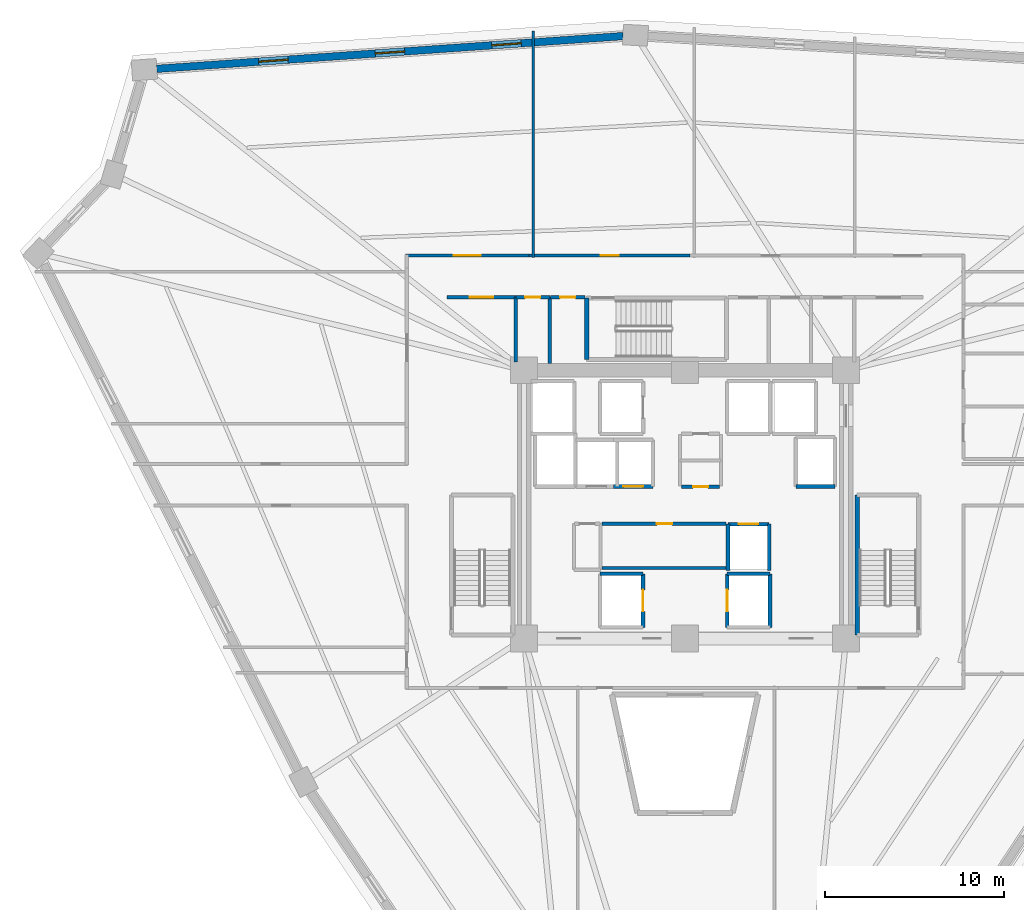
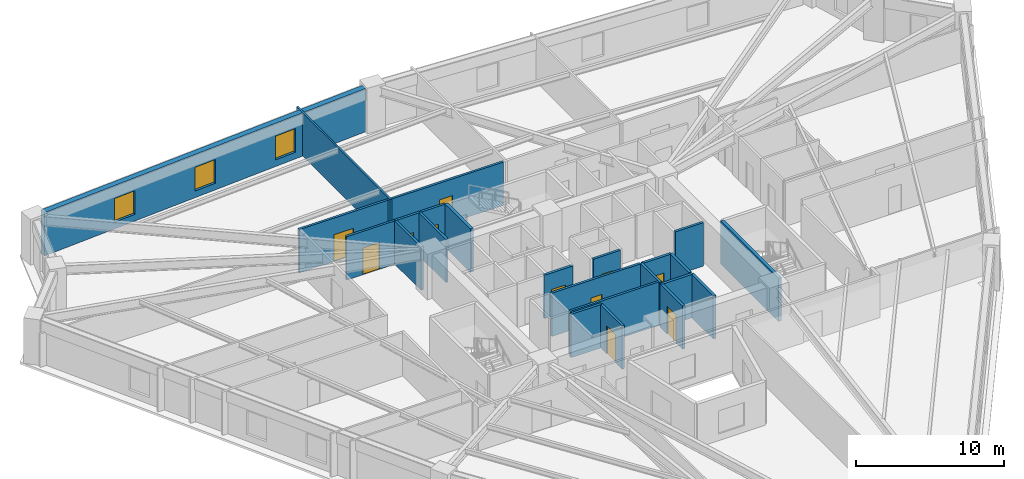
# One storey, part 5 of 10: 24 walls, 11 doors, 3 windows, 14 openings.
"""IFC4 building model written with IfcOpenShell, lengths in metres."""

from ifc_helpers import new_model, si_unit, direction, frame, frame_2d, origin, place, context, subcontext, project, spatial, rectangle, extrude, source, transform, mapped, material, layer, layer_set, type_object, element, fill, save


model = new_model("IFC4")

# Units and contexts
model_context = context("Model", 3, precision=1e-05, world=origin(), true_north=direction((0.0, 1.0)))
body_context = subcontext(model_context, "Body", "Model", "MODEL_VIEW")
ifc_project = project(units=[si_unit("LENGTHUNIT", "METRE"), si_unit("AREAUNIT", "SQUARE_METRE"), si_unit("VOLUMEUNIT", "CUBIC_METRE"), si_unit("PLANEANGLEUNIT", "RADIAN"), si_unit("MASSUNIT", "GRAM", prefix="KILO")], contexts=[model_context])

# Site, building, storey
site_placement = place(None, origin())
site = spatial("IfcSite", under=ifc_project, at=site_placement, CompositionType="ELEMENT")
building_placement = place(site_placement, origin())
building = spatial("IfcBuilding", under=site, at=building_placement, Name="Liaohun Quay Tower", CompositionType="ELEMENT")
storey_placement = place(building_placement, frame((0.0, 0.0, 124.5)))
storey = spatial("IfcBuildingStorey", under=building, at=storey_placement, Name="L32", CompositionType="ELEMENT", Elevation=124.5)

# Wall, openings, windows
ifc_material_1 = material(Name="Precast concrete C50 insulated sandwich", Category="concrete")
ifc_layer_1 = layer(ifc_material_1, 0.419921875, Name="Precast concrete C50 insulated sandwich", Category="concrete")
ifc_layer_set_1 = layer_set([ifc_layer_1], Name="Precast concrete C50 insulated sandwich")
wall_type_1 = type_object("IfcWallType", Name="WAL-EXT-Z12", PredefinedType="SOLIDWALL", material=ifc_layer_set_1)
wall_1_placement = place(storey_placement, frame((56.5380859375, 80.177978515625, 0.0), z_axis=(0.0, 0.0, 1.0), x_axis=(-0.997543510354, -0.070049589226, 0.0)))
wall_1 = element("IfcWall", 1, at=wall_1_placement, inside=storey, type_object=wall_type_1, Name="L32 Brutalist Precast Pier Wall 07", PredefinedType="SOLIDWALL", context=body_context, shape_type="SweptSolid", body=[
    extrude(rectangle(XDim=26.139404296875, YDim=0.419921875, at=frame_2d((13.06982421875, 0.0))), origin(), (0.0, 0.0, 1.0), 3.570068359375),
])
shared_shape_1 = source(origin(), body_context, "Body", "SweptSolid", [
    extrude(rectangle(XDim=1.64990234375, YDim=1.949951171875, at=frame_2d((0.824951171875, 0.97509765625))), frame((0.0, 0.219970703125, 0.0), z_axis=(0.0, -1.0, 0.0), x_axis=(1.0, 0.0, 0.0)), (0.0, 0.0, 1.0), 0.43994140625),
])
opening_1_placement = place(wall_1_placement, frame((5.7099609375, 0.0, 0.550048828125)))
opening_1 = element("IfcOpeningElement", 2, at=opening_1_placement, cuts=wall_1, Name="Opening W02", PredefinedType="OPENING", context=body_context, shape_type="MappedRepresentation", body=[
    mapped(shared_shape_1, transform((0.0, 0.0, 0.0), x_axis=(1.0, 0.0, 0.0), y_axis=(0.0, 1.0, 0.0), z_axis=(0.0, 0.0, 1.0), scale=1.0)),
])
opening_2_placement = place(wall_1_placement, frame((12.2451171875, 0.0, 0.550048828125)))
opening_2 = element("IfcOpeningElement", 3, at=opening_2_placement, cuts=wall_1, Name="Opening W02", PredefinedType="OPENING", context=body_context, shape_type="MappedRepresentation", body=[
    mapped(shared_shape_1, transform((0.0, 0.0, 0.0), x_axis=(1.0, 0.0, 0.0), y_axis=(0.0, 1.0, 0.0), z_axis=(0.0, 0.0, 1.0), scale=1.0)),
])
opening_3_placement = place(wall_1_placement, frame((18.779052734375, 0.0, 0.550048828125)))
opening_3 = element("IfcOpeningElement", 4, at=opening_3_placement, cuts=wall_1, Name="Opening W02", PredefinedType="OPENING", context=body_context, shape_type="MappedRepresentation", body=[
    mapped(shared_shape_1, transform((0.0, 0.0, 0.0), x_axis=(1.0, 0.0, 0.0), y_axis=(0.0, 1.0, 0.0), z_axis=(0.0, 0.0, 1.0), scale=1.0)),
])
ifc_material_2 = material(Name="Triple Low-E argon glazing in thermally broken aluminium", Category="aluminium")
window_type = type_object("IfcWindowType", Name="WIN-PUN-Z2", PartitioningType="DOUBLE_PANEL_VERTICAL", PredefinedType="WINDOW", material=ifc_material_2)
shared_shape_2 = source(origin(), body_context, "Body", "SweptSolid", [
    extrude(rectangle(XDim=1.64990234375, YDim=1.949951171875, at=frame_2d((0.824951171875, 0.97509765625))), frame((0.0, 0.030029296875, 0.0), z_axis=(0.0, -1.0, 0.0), x_axis=(1.0, 0.0, 0.0)), (0.0, 0.0, 1.0), 0.06005859375),
])
window_1_placement = place(opening_1_placement, origin())
window_1 = element("IfcWindow", 5, at=window_1_placement, inside=storey, type_object=window_type, Name="L32 Recessed Cold-Climate Punched Window 07-1", OverallHeight=1.949951171875, OverallWidth=1.64990234375, PartitioningType="DOUBLE_PANEL_VERTICAL", PredefinedType="WINDOW", context=body_context, shape_type="MappedRepresentation", body=[
    mapped(shared_shape_2, transform((0.0, 0.0, 0.0), x_axis=(1.0, 0.0, 0.0), y_axis=(0.0, 1.0, 0.0), z_axis=(0.0, 0.0, 1.0), scale=1.0)),
])
fill(opening_1, window_1)
window_2_placement = place(opening_2_placement, origin())
window_2 = element("IfcWindow", 6, at=window_2_placement, inside=storey, type_object=window_type, Name="L32 Recessed Cold-Climate Punched Window 07-2", OverallHeight=1.949951171875, OverallWidth=1.64990234375, PartitioningType="DOUBLE_PANEL_VERTICAL", PredefinedType="WINDOW", context=body_context, shape_type="MappedRepresentation", body=[
    mapped(shared_shape_2, transform((0.0, 0.0, 0.0), x_axis=(1.0, 0.0, 0.0), y_axis=(0.0, 1.0, 0.0), z_axis=(0.0, 0.0, 1.0), scale=1.0)),
])
fill(opening_2, window_2)
window_3_placement = place(opening_3_placement, origin())
window_3 = element("IfcWindow", 7, at=window_3_placement, inside=storey, type_object=window_type, Name="L32 Recessed Cold-Climate Punched Window 07-3", OverallHeight=1.949951171875, OverallWidth=1.64990234375, PartitioningType="DOUBLE_PANEL_VERTICAL", PredefinedType="WINDOW", context=body_context, shape_type="MappedRepresentation", body=[
    mapped(shared_shape_2, transform((0.0, 0.0, 0.0), x_axis=(1.0, 0.0, 0.0), y_axis=(0.0, 1.0, 0.0), z_axis=(0.0, 0.0, 1.0), scale=1.0)),
])
fill(opening_3, window_3)

# Wall, opening, door
ifc_material_3 = material(Name="Autoclaved aerated concrete blockwork", Category="masonry")
ifc_layer_2 = layer(ifc_material_3, 0.179931640625, Name="Autoclaved aerated concrete blockwork", Category="masonry")
ifc_layer_set_2 = layer_set([ifc_layer_2], Name="Autoclaved aerated concrete blockwork")
wall_type_2 = type_object("IfcWallType", Name="WAL-PRT-COR", PredefinedType="PARTITIONING", material=ifc_layer_set_2)
wall_2_placement = place(storey_placement, frame((55.3701171875, 52.919921875, 0.0), z_axis=(0.0, 0.0, 1.0), x_axis=(1.0, 0.0, 0.0)))
wall_2 = element("IfcWall", 8, at=wall_2_placement, inside=storey, type_object=wall_type_2, Name="L32 Interior Partition Wall 001", PredefinedType="PARTITIONING", context=body_context, shape_type="SweptSolid", body=[
    extrude(rectangle(XDim=6.929931640625, YDim=0.179931640625, at=frame_2d((3.46484375, 0.0))), origin(), (0.0, 0.0, 1.0), 3.570068359375),
])
shared_shape_3 = source(origin(), body_context, "Body", "SweptSolid", [
    extrude(rectangle(XDim=0.85009765625, YDim=2.10009765625, at=frame_2d((0.425048828125, 1.050048828125))), frame((0.0, 0.099853515625, 0.0), z_axis=(0.0, -1.0, 0.0), x_axis=(1.0, 0.0, 0.0)), (0.0, 0.0, 1.0), 0.199951171875),
])
opening_4_placement = place(wall_2_placement, frame((3.054931640625, 0.0, 0.0)))
opening_4 = element("IfcOpeningElement", 9, at=opening_4_placement, cuts=wall_2, Name="Opening AD1", PredefinedType="OPENING", context=body_context, shape_type="MappedRepresentation", body=[
    mapped(shared_shape_3, transform((0.0, 0.0, 0.0), x_axis=(1.0, 0.0, 0.0), y_axis=(0.0, 1.0, 0.0), z_axis=(0.0, 0.0, 1.0), scale=1.0)),
])
ifc_material_4 = material(Name="Steel riser inspection fire door", Category="steel")
door_type_1 = type_object("IfcDoorType", Name="DOR-SHF-850", OperationType="NOTDEFINED", PredefinedType="DOOR", material=ifc_material_4)
shared_shape_4 = source(origin(), body_context, "Body", "SweptSolid", [
    extrude(rectangle(XDim=0.85009765625, YDim=2.10009765625, at=frame_2d((0.425048828125, 1.050048828125))), frame((0.0, 0.02490234375, 0.0), z_axis=(0.0, -1.0, 0.0), x_axis=(1.0, 0.0, 0.0)), (0.0, 0.0, 1.0), 0.050048828125),
])
door_1_placement = place(opening_4_placement, origin())
door_1 = element("IfcDoor", 10, at=door_1_placement, inside=storey, type_object=door_type_1, Name="L32 Core Tenant Storage and Archive Room Door", OperationType="SINGLE_SWING_RIGHT", OverallHeight=2.10009765625, OverallWidth=0.85009765625, PredefinedType="DOOR", context=body_context, shape_type="MappedRepresentation", body=[
    mapped(shared_shape_4, transform((0.0, 0.0, 0.0), x_axis=(1.0, 0.0, 0.0), y_axis=(0.0, 1.0, 0.0), z_axis=(0.0, 0.0, 1.0), scale=1.0)),
])
fill(opening_4, door_1)

wall_3_placement = place(storey_placement, frame((59.81005859375, 54.97998046875, 0.0), z_axis=(0.0, 0.0, 1.0), x_axis=(1.0, 0.0, 0.0)))
wall_3 = element("IfcWall", 11, at=wall_3_placement, inside=storey, type_object=wall_type_2, Name="L32 Interior Partition Wall 002", PredefinedType="PARTITIONING", context=body_context, shape_type="SweptSolid", body=[
    extrude(rectangle(XDim=2.10986328125, YDim=0.179931640625, at=frame_2d((1.054931640625, 0.0))), origin(), (0.0, 0.0, 1.0), 3.570068359375),
])
opening_5_placement = place(wall_3_placement, frame((0.635009765625, 0.0, 0.0)))
opening_5 = element("IfcOpeningElement", 12, at=opening_5_placement, cuts=wall_3, Name="Opening AD1", PredefinedType="OPENING", context=body_context, shape_type="MappedRepresentation", body=[
    mapped(shared_shape_3, transform((0.0, 0.0, 0.0), x_axis=(1.0, 0.0, 0.0), y_axis=(0.0, 1.0, 0.0), z_axis=(0.0, 0.0, 1.0), scale=1.0)),
])
door_2_placement = place(opening_5_placement, origin())
door_2 = element("IfcDoor", 13, at=door_2_placement, inside=storey, type_object=door_type_1, Name="L32 Electrical Riser Room Door", OperationType="SINGLE_SWING_LEFT", OverallHeight=2.10009765625, OverallWidth=0.85009765625, PredefinedType="DOOR", context=body_context, shape_type="MappedRepresentation", body=[
    mapped(shared_shape_4, transform((0.0, 0.0, 0.0), x_axis=(1.0, 0.0, 0.0), y_axis=(0.0, 1.0, 0.0), z_axis=(0.0, 0.0, 1.0), scale=1.0)),
])
fill(opening_5, door_2)

wall_4_placement = place(storey_placement, frame((50.5400390625, 65.580078125, 0.0), z_axis=(0.0, 0.0, 1.0), x_axis=(1.0, 0.0, 0.0)))
wall_4 = element("IfcWall", 14, at=wall_4_placement, inside=storey, type_object=wall_type_2, Name="L32 Interior Partition Wall 008", PredefinedType="PARTITIONING", context=body_context, shape_type="SweptSolid", body=[
    extrude(rectangle(XDim=1.89990234375, YDim=0.179931640625, at=frame_2d((0.949951171875, 0.0))), origin(), (0.0, 0.0, 1.0), 3.570068359375),
])
opening_6_placement = place(wall_4_placement, frame((0.52490234375, 0.0, 0.0)))
opening_6 = element("IfcOpeningElement", 15, at=opening_6_placement, cuts=wall_4, Name="Opening AD1", PredefinedType="OPENING", context=body_context, shape_type="MappedRepresentation", body=[
    mapped(shared_shape_3, transform((0.0, 0.0, 0.0), x_axis=(1.0, 0.0, 0.0), y_axis=(0.0, 1.0, 0.0), z_axis=(0.0, 0.0, 1.0), scale=1.0)),
])
door_3_placement = place(opening_6_placement, origin())
door_3 = element("IfcDoor", 16, at=door_3_placement, inside=storey, type_object=door_type_1, Name="L32 North-West Riser Closet Door", OperationType="SINGLE_SWING_LEFT", OverallHeight=2.10009765625, OverallWidth=0.85009765625, PredefinedType="DOOR", context=body_context, shape_type="MappedRepresentation", body=[
    mapped(shared_shape_4, transform((0.0, 0.0, 0.0), x_axis=(1.0, 0.0, 0.0), y_axis=(0.0, 1.0, 0.0), z_axis=(0.0, 0.0, 1.0), scale=1.0)),
])
fill(opening_6, door_3)

wall_5_placement = place(storey_placement, frame((52.47998046875, 65.580078125, 0.0), z_axis=(0.0, 0.0, 1.0), x_axis=(1.0, 0.0, 0.0)))
wall_5 = element("IfcWall", 17, at=wall_5_placement, inside=storey, type_object=wall_type_2, Name="L32 Interior Partition Wall 009", PredefinedType="PARTITIONING", context=body_context, shape_type="SweptSolid", body=[
    extrude(rectangle(XDim=1.929931640625, YDim=0.179931640625, at=frame_2d((0.96484375, 0.0))), origin(), (0.0, 0.0, 1.0), 3.570068359375),
])
opening_7_placement = place(wall_5_placement, frame((0.5400390625, 0.0, 0.0)))
opening_7 = element("IfcOpeningElement", 18, at=opening_7_placement, cuts=wall_5, Name="Opening AD1", PredefinedType="OPENING", context=body_context, shape_type="MappedRepresentation", body=[
    mapped(shared_shape_3, transform((0.0, 0.0, 0.0), x_axis=(1.0, 0.0, 0.0), y_axis=(0.0, 1.0, 0.0), z_axis=(0.0, 0.0, 1.0), scale=1.0)),
])
door_4_placement = place(opening_7_placement, origin())
door_4 = element("IfcDoor", 19, at=door_4_placement, inside=storey, type_object=door_type_1, Name="L32 North-West Print Closet Door", OperationType="SINGLE_SWING_RIGHT", OverallHeight=2.10009765625, OverallWidth=0.85009765625, PredefinedType="DOOR", context=body_context, shape_type="MappedRepresentation", body=[
    mapped(shared_shape_4, transform((0.0, 0.0, 0.0), x_axis=(1.0, 0.0, 0.0), y_axis=(0.0, 1.0, 0.0), z_axis=(0.0, 0.0, 1.0), scale=1.0)),
])
fill(opening_7, door_4)

wall_6_placement = place(storey_placement, frame((46.699951171875, 65.580078125, 0.0), z_axis=(0.0, 0.0, 1.0), x_axis=(1.0, 0.0, 0.0)))
wall_6 = element("IfcWall", 20, at=wall_6_placement, inside=storey, type_object=wall_type_2, Name="L32 Interior Partition Wall 013", PredefinedType="PARTITIONING", context=body_context, shape_type="SweptSolid", body=[
    extrude(rectangle(XDim=3.840087890625, YDim=0.179931640625, at=frame_2d((1.919921875, 0.0))), origin(), (0.0, 0.0, 1.0), 3.570068359375),
])
shared_shape_5 = source(origin(), body_context, "Body", "SweptSolid", [
    extrude(rectangle(XDim=1.300048828125, YDim=2.199951171875, at=frame_2d((0.64990234375, 1.10009765625))), frame((0.0, 0.099853515625, 0.0), z_axis=(0.0, -1.0, 0.0), x_axis=(1.0, 0.0, 0.0)), (0.0, 0.0, 1.0), 0.199951171875),
])
opening_8_placement = place(wall_6_placement, frame((1.27001953125, 0.0, 0.0)))
opening_8 = element("IfcOpeningElement", 21, at=opening_8_placement, cuts=wall_6, Name="Opening FD1", PredefinedType="OPENING", context=body_context, shape_type="MappedRepresentation", body=[
    mapped(shared_shape_5, transform((0.0, 0.0, 0.0), x_axis=(1.0, 0.0, 0.0), y_axis=(0.0, 1.0, 0.0), z_axis=(0.0, 0.0, 1.0), scale=1.0)),
])
ifc_material_5 = material(Name="Galvanised steel smokeproof fire door", Category="steel")
door_type_2 = type_object("IfcDoorType", Name="DOR-FFL-1300", OperationType="NOTDEFINED", PredefinedType="DOOR", material=ifc_material_5)
shared_shape_6 = source(origin(), body_context, "Body", "SweptSolid", [
    extrude(rectangle(XDim=1.300048828125, YDim=2.199951171875, at=frame_2d((0.64990234375, 1.10009765625))), frame((0.0, 0.02490234375, 0.0), z_axis=(0.0, -1.0, 0.0), x_axis=(1.0, 0.0, 0.0)), (0.0, 0.0, 1.0), 0.050048828125),
])
door_5_placement = place(opening_8_placement, origin())
door_5 = element("IfcDoor", 22, at=door_5_placement, inside=storey, type_object=door_type_2, Name="L32 West Core Vestibule Door", OperationType="SINGLE_SWING_RIGHT", OverallHeight=2.199951171875, OverallWidth=1.300048828125, PredefinedType="DOOR", context=body_context, shape_type="MappedRepresentation", body=[
    mapped(shared_shape_6, transform((0.0, 0.0, 0.0), x_axis=(1.0, 0.0, 0.0), y_axis=(0.0, 1.0, 0.0), z_axis=(0.0, 0.0, 1.0), scale=1.0)),
])
fill(opening_8, door_5)

wall_7_placement = place(storey_placement, frame((51.284912109375, 67.909912109375, 0.0), z_axis=(0.0, 0.0, 1.0), x_axis=(1.0, 0.0, 0.0)))
wall_7 = element("IfcWall", 23, at=wall_7_placement, inside=storey, type_object=wall_type_2, Name="L32 Interior Partition Wall 018", PredefinedType="PARTITIONING", context=body_context, shape_type="SweptSolid", body=[
    extrude(rectangle(XDim=9.0, YDim=0.179931640625, at=frame_2d((4.5, 0.0))), origin(), (0.0, 0.0, 1.0), 3.570068359375),
])
shared_shape_7 = source(origin(), body_context, "Body", "SweptSolid", [
    extrude(rectangle(XDim=1.0, YDim=2.199951171875, at=frame_2d((0.5, 1.10009765625))), frame((0.0, 0.099853515625, 0.0), z_axis=(0.0, -1.0, 0.0), x_axis=(1.0, 0.0, 0.0)), (0.0, 0.0, 1.0), 0.199951171875),
])
opening_9_placement = place(wall_7_placement, frame((4.0, 0.0, 0.0)))
opening_9 = element("IfcOpeningElement", 24, at=opening_9_placement, cuts=wall_7, Name="Opening OD1", PredefinedType="OPENING", context=body_context, shape_type="MappedRepresentation", body=[
    mapped(shared_shape_7, transform((0.0, 0.0, 0.0), x_axis=(1.0, 0.0, 0.0), y_axis=(0.0, 1.0, 0.0), z_axis=(0.0, 0.0, 1.0), scale=1.0)),
])
ifc_material_6 = material(Name="Solid-core oak veneer timber leaf in steel frame", Category="steel")
door_type_3 = type_object("IfcDoorType", Name="DOR-OFF-1000", OperationType="NOTDEFINED", PredefinedType="DOOR", material=ifc_material_6)
shared_shape_8 = source(origin(), body_context, "Body", "SweptSolid", [
    extrude(rectangle(XDim=1.0, YDim=2.199951171875, at=frame_2d((0.5, 1.10009765625))), frame((0.0, 0.02490234375, 0.0), z_axis=(0.0, -1.0, 0.0), x_axis=(1.0, 0.0, 0.0)), (0.0, 0.0, 1.0), 0.050048828125),
])
door_6_placement = place(opening_9_placement, origin())
door_6 = element("IfcDoor", 25, at=door_6_placement, inside=storey, type_object=door_type_3, Name="L32 Project Collaboration Studio 04 Door", OperationType="SINGLE_SWING_LEFT", OverallHeight=2.199951171875, OverallWidth=1.0, PredefinedType="DOOR", context=body_context, shape_type="MappedRepresentation", body=[
    mapped(shared_shape_8, transform((0.0, 0.0, 0.0), x_axis=(1.0, 0.0, 0.0), y_axis=(0.0, 1.0, 0.0), z_axis=(0.0, 0.0, 1.0), scale=1.0)),
])
fill(opening_9, door_6)

wall_8_placement = place(storey_placement, frame((44.3701171875, 67.909912109375, 0.0), z_axis=(0.0, 0.0, 1.0), x_axis=(1.0, 0.0, 0.0)))
wall_8 = element("IfcWall", 26, at=wall_8_placement, inside=storey, type_object=wall_type_2, Name="L32 Interior Partition Wall 019", PredefinedType="PARTITIONING", context=body_context, shape_type="SweptSolid", body=[
    extrude(rectangle(XDim=6.914794921875, YDim=0.179931640625, at=frame_2d((3.45751953125, 0.0))), origin(), (0.0, 0.0, 1.0), 3.570068359375),
])
shared_shape_9 = source(origin(), body_context, "Body", "SweptSolid", [
    extrude(rectangle(XDim=1.5, YDim=2.199951171875, at=frame_2d((0.75, 1.10009765625))), frame((0.0, 0.099853515625, 0.0), z_axis=(0.0, -1.0, 0.0), x_axis=(1.0, 0.0, 0.0)), (0.0, 0.0, 1.0), 0.199951171875),
])
opening_10_placement = place(wall_8_placement, frame((2.70703125, 0.0, 0.0)))
opening_10 = element("IfcOpeningElement", 27, at=opening_10_placement, cuts=wall_8, Name="Opening OD2", PredefinedType="OPENING", context=body_context, shape_type="MappedRepresentation", body=[
    mapped(shared_shape_9, transform((0.0, 0.0, 0.0), x_axis=(1.0, 0.0, 0.0), y_axis=(0.0, 1.0, 0.0), z_axis=(0.0, 0.0, 1.0), scale=1.0)),
])
ifc_material_7 = material(Name="Acoustic oak veneer double door")
door_type_4 = type_object("IfcDoorType", Name="DOR-OFF-1500", OperationType="DOUBLE_DOOR_SINGLE_SWING", PredefinedType="DOOR", material=ifc_material_7)
shared_shape_10 = source(origin(), body_context, "Body", "SweptSolid", [
    extrude(rectangle(XDim=1.5, YDim=2.199951171875, at=frame_2d((0.75, 1.10009765625))), frame((0.0, 0.02490234375, 0.0), z_axis=(0.0, -1.0, 0.0), x_axis=(1.0, 0.0, 0.0)), (0.0, 0.0, 1.0), 0.050048828125),
])
door_7_placement = place(opening_10_placement, origin())
door_7 = element("IfcDoor", 28, at=door_7_placement, inside=storey, type_object=door_type_4, Name="L32 Digital Prototyping Laboratory 05 Door", OperationType="DOUBLE_DOOR_SINGLE_SWING", OverallHeight=2.199951171875, OverallWidth=1.5, PredefinedType="DOOR", context=body_context, shape_type="MappedRepresentation", body=[
    mapped(shared_shape_10, transform((0.0, 0.0, 0.0), x_axis=(1.0, 0.0, 0.0), y_axis=(0.0, 1.0, 0.0), z_axis=(0.0, 0.0, 1.0), scale=1.0)),
])
fill(opening_10, door_7)

# Walls
wall_9_placement = place(storey_placement, frame((50.5400390625, 61.949951171875, 0.0), z_axis=(0.0, 0.0, 1.0), x_axis=(0.0, 1.0, 0.0)))
element("IfcWall", 29, at=wall_9_placement, inside=storey, type_object=wall_type_2, Name="L32 Interior Partition Wall 039", PredefinedType="PARTITIONING", context=body_context, shape_type="SweptSolid", body=[
    extrude(rectangle(XDim=3.630126953125, YDim=0.179931640625, at=frame_2d((1.81494140625, 0.0))), origin(), (0.0, 0.0, 1.0), 3.570068359375),
])
wall_10_placement = place(storey_placement, frame((52.43994140625, 61.875, 0.0), z_axis=(0.0, 0.0, 1.0), x_axis=(0.0, 1.0, 0.0)))
element("IfcWall", 30, at=wall_10_placement, inside=storey, type_object=wall_type_2, Name="L32 Interior Partition Wall 040", PredefinedType="PARTITIONING", context=body_context, shape_type="SweptSolid", body=[
    extrude(rectangle(XDim=3.705078125, YDim=0.179931640625, at=frame_2d((1.8525390625, 0.0))), origin(), (0.0, 0.0, 1.0), 3.570068359375),
])
wall_11_placement = place(storey_placement, frame((55.3701171875, 50.449951171875, 0.0), z_axis=(0.0, 0.0, 1.0), x_axis=(1.0, 0.0, 0.0)))
element("IfcWall", 31, at=wall_11_placement, inside=storey, type_object=wall_type_2, Name="L32 Interior Partition Wall 063", PredefinedType="PARTITIONING", context=body_context, shape_type="SweptSolid", body=[
    extrude(rectangle(XDim=6.929931640625, YDim=0.179931640625, at=frame_2d((3.46484375, 0.0))), origin(), (0.0, 0.0, 1.0), 3.570068359375),
])
ifc_material_8 = material(Name="Gypsum board on twin steel studs", Category="steel")
ifc_layer_3 = layer(ifc_material_8, 0.139892578125, Name="Gypsum board on twin steel studs", Category="steel")
ifc_layer_set_3 = layer_set([ifc_layer_3], Name="Gypsum board on twin steel studs")
wall_type_3 = type_object("IfcWallType", Name="WAL-PRT-OFF", PredefinedType="PARTITIONING", material=ifc_layer_set_3)
wall_12_placement = place(storey_placement, frame((51.5, 67.81005859375, 0.0), z_axis=(0.0, 0.0, 1.0), x_axis=(0.0, 1.0, 0.0)))
element("IfcWall", 32, at=wall_12_placement, inside=storey, type_object=wall_type_3, Name="L32 Interior Partition Wall 058", PredefinedType="PARTITIONING", context=body_context, shape_type="SweptSolid", body=[
    extrude(rectangle(XDim=12.64599609375, YDim=0.139892578125, at=frame_2d((6.322998046875, 0.0))), origin(), (0.0, 0.0, 1.0), 3.570068359375),
])
ifc_material_9 = material(Name="Concrete C50", Category="concrete")
ifc_layer_4 = layer(ifc_material_9, 0.239990234375, Name="Concrete C50", Category="concrete")
ifc_layer_set_4 = layer_set([ifc_layer_4], Name="Concrete C50")
wall_type_4 = type_object("IfcWallType", Name="WAL-SHF-200", PredefinedType="SOLIDWALL", material=ifc_layer_set_4)
wall_13_placement = place(storey_placement, frame((69.6201171875, 54.52001953125, 0.0), z_axis=(0.0, 0.0, 1.0), x_axis=(0.0, -1.0, 0.0)))
element("IfcWall", 33, at=wall_13_placement, inside=storey, type_object=wall_type_4, Name="L32 Stairwell ST-2 Structural Core Wall W", PredefinedType="SOLIDWALL", context=body_context, shape_type="SweptSolid", body=[
    extrude(rectangle(XDim=7.820068359375, YDim=0.239990234375, at=frame_2d((3.91015625, 0.0))), origin(), (0.0, 0.0, 1.0), 3.570068359375),
])
wall_14_placement = place(storey_placement, frame((54.5, 65.5400390625, 0.0), z_axis=(0.0, 0.0, 1.0), x_axis=(0.0, -1.0, 0.0)))
element("IfcWall", 34, at=wall_14_placement, inside=storey, type_object=wall_type_4, Name="L32 Stairwell ST-3 Structural Core Wall W", PredefinedType="SOLIDWALL", context=body_context, shape_type="SweptSolid", body=[
    extrude(rectangle(XDim=3.43994140625, YDim=0.239990234375, at=frame_2d((1.719970703125, 0.0))), origin(), (0.0, 0.0, 1.0), 3.570068359375),
])

# Wall, opening, door
wall_15_placement = place(storey_placement, frame((57.64990234375, 47.1201171875, 0.0), z_axis=(0.0, 0.0, 1.0), x_axis=(0.0, 1.0, 0.0)))
wall_15 = element("IfcWall", 35, at=wall_15_placement, inside=storey, type_object=wall_type_4, Name="L32 Lift FF-01 Hoistway Wall E", PredefinedType="SOLIDWALL", context=body_context, shape_type="SweptSolid", body=[
    extrude(rectangle(XDim=3.0, YDim=0.199951171875, at=frame_2d((1.5, 0.0))), origin(), (0.0, 0.0, 1.0), 3.570068359375),
])
shared_shape_11 = source(origin(), body_context, "Body", "SweptSolid", [
    extrude(rectangle(XDim=1.199951171875, YDim=2.300048828125, at=frame_2d((0.60009765625, 1.14990234375))), frame((0.0, 0.10986328125, 0.0), z_axis=(0.0, -1.0, 0.0), x_axis=(1.0, 0.0, 0.0)), (0.0, 0.0, 1.0), 0.219970703125),
])
opening_11_placement = place(wall_15_placement, frame((0.89990234375, 0.0, 0.0)))
opening_11 = element("IfcOpeningElement", 36, at=opening_11_placement, cuts=wall_15, Name="Opening LD2", PredefinedType="OPENING", context=body_context, shape_type="MappedRepresentation", body=[
    mapped(shared_shape_11, transform((0.0, 0.0, 0.0), x_axis=(1.0, 0.0, 0.0), y_axis=(0.0, 1.0, 0.0), z_axis=(0.0, 0.0, 1.0), scale=1.0)),
])
ifc_material_10 = material(Name="Brushed stainless steel stretcher landing door", Category="steel")
door_type_5 = type_object("IfcDoorType", Name="DOR-LFT-1200", OperationType="SLIDING_TO_LEFT", PredefinedType="DOOR", material=ifc_material_10)
shared_shape_12 = source(origin(), body_context, "Body", "SweptSolid", [
    extrude(rectangle(XDim=1.199951171875, YDim=2.300048828125, at=frame_2d((0.60009765625, 1.14990234375))), frame((0.0, 0.02490234375, 0.0), z_axis=(0.0, -1.0, 0.0), x_axis=(1.0, 0.0, 0.0)), (0.0, 0.0, 1.0), 0.050048828125),
])
door_8_placement = place(opening_11_placement, origin())
door_8 = element("IfcDoor", 37, at=door_8_placement, inside=storey, type_object=door_type_5, Name="L32 Lift FF-01 Sliding Landing Door", OperationType="SLIDING_TO_LEFT", OverallHeight=2.300048828125, OverallWidth=1.199951171875, PredefinedType="DOOR", context=body_context, shape_type="MappedRepresentation", body=[
    mapped(shared_shape_12, transform((0.0, 0.0, 0.0), x_axis=(1.0, 0.0, 0.0), y_axis=(0.0, 1.0, 0.0), z_axis=(0.0, 0.0, 1.0), scale=1.0)),
])
fill(opening_11, door_8)

# Walls
wall_16_placement = place(storey_placement, frame((57.64990234375, 50.1201171875, 0.0), z_axis=(0.0, 0.0, 1.0), x_axis=(-1.0, 0.0, 0.0)))
element("IfcWall", 38, at=wall_16_placement, inside=storey, type_object=wall_type_4, Name="L32 Lift FF-01 Hoistway Wall N", PredefinedType="SOLIDWALL", context=body_context, shape_type="SweptSolid", body=[
    extrude(rectangle(XDim=2.39990234375, YDim=0.199951171875, at=frame_2d((1.199951171875, 0.0))), origin(), (0.0, 0.0, 1.0), 3.570068359375),
])
wall_17_placement = place(storey_placement, frame((64.75, 47.1201171875, 0.0), z_axis=(0.0, 0.0, 1.0), x_axis=(0.0, 1.0, 0.0)))
element("IfcWall", 39, at=wall_17_placement, inside=storey, type_object=wall_type_4, Name="L32 Lift FF-02 Hoistway Wall E", PredefinedType="SOLIDWALL", context=body_context, shape_type="SweptSolid", body=[
    extrude(rectangle(XDim=3.0, YDim=0.199951171875, at=frame_2d((1.5, 0.0))), origin(), (0.0, 0.0, 1.0), 3.570068359375),
])
wall_18_placement = place(storey_placement, frame((64.75, 50.1201171875, 0.0), z_axis=(0.0, 0.0, 1.0), x_axis=(-1.0, 0.0, 0.0)))
element("IfcWall", 40, at=wall_18_placement, inside=storey, type_object=wall_type_4, Name="L32 Lift FF-02 Hoistway Wall N", PredefinedType="SOLIDWALL", context=body_context, shape_type="SweptSolid", body=[
    extrude(rectangle(XDim=2.39990234375, YDim=0.199951171875, at=frame_2d((1.199951171875, 0.0))), origin(), (0.0, 0.0, 1.0), 3.570068359375),
])

# Wall, opening, door
wall_19_placement = place(storey_placement, frame((62.35009765625, 50.1201171875, 0.0), z_axis=(0.0, 0.0, 1.0), x_axis=(0.0, -1.0, 0.0)))
wall_19 = element("IfcWall", 41, at=wall_19_placement, inside=storey, type_object=wall_type_4, Name="L32 Lift FF-02 Hoistway Wall W", PredefinedType="SOLIDWALL", context=body_context, shape_type="SweptSolid", body=[
    extrude(rectangle(XDim=3.0, YDim=0.199951171875, at=frame_2d((1.5, 0.0))), origin(), (0.0, 0.0, 1.0), 3.570068359375),
])
opening_12_placement = place(wall_19_placement, frame((0.89990234375, 0.0, 0.0)))
opening_12 = element("IfcOpeningElement", 42, at=opening_12_placement, cuts=wall_19, Name="Opening LD2", PredefinedType="OPENING", context=body_context, shape_type="MappedRepresentation", body=[
    mapped(shared_shape_11, transform((0.0, 0.0, 0.0), x_axis=(1.0, 0.0, 0.0), y_axis=(0.0, 1.0, 0.0), z_axis=(0.0, 0.0, 1.0), scale=1.0)),
])
door_9_placement = place(opening_12_placement, origin())
door_9 = element("IfcDoor", 43, at=door_9_placement, inside=storey, type_object=door_type_5, Name="L32 Lift FF-02 Sliding Landing Door", OperationType="SLIDING_TO_LEFT", OverallHeight=2.300048828125, OverallWidth=1.199951171875, PredefinedType="DOOR", context=body_context, shape_type="MappedRepresentation", body=[
    mapped(shared_shape_12, transform((0.0, 0.0, 0.0), x_axis=(1.0, 0.0, 0.0), y_axis=(0.0, 1.0, 0.0), z_axis=(0.0, 0.0, 1.0), scale=1.0)),
])
fill(opening_12, door_9)

# Walls
wall_20_placement = place(storey_placement, frame((66.199951171875, 55.0, 0.0), z_axis=(0.0, 0.0, 1.0), x_axis=(1.0, 0.0, 0.0)))
element("IfcWall", 44, at=wall_20_placement, inside=storey, type_object=wall_type_4, Name="L32 Lift SH-03 Hoistway Wall S", PredefinedType="SOLIDWALL", context=body_context, shape_type="SweptSolid", body=[
    extrude(rectangle(XDim=2.179931640625, YDim=0.199951171875, at=frame_2d((1.08984375, 0.0))), origin(), (0.0, 0.0, 1.0), 3.570068359375),
])
wall_21_placement = place(storey_placement, frame((64.699951171875, 50.300048828125, 0.0), z_axis=(0.0, 0.0, 1.0), x_axis=(0.0, 1.0, 0.0)))
element("IfcWall", 45, at=wall_21_placement, inside=storey, type_object=wall_type_4, Name="L32 Lift PL-2A Hoistway Wall E", PredefinedType="SOLIDWALL", context=body_context, shape_type="SweptSolid", body=[
    extrude(rectangle(XDim=2.599853515625, YDim=0.199951171875, at=frame_2d((1.2998046875, 0.0))), origin(), (0.0, 0.0, 1.0), 3.570068359375),
])

# Wall, opening, door
wall_22_placement = place(storey_placement, frame((64.699951171875, 52.89990234375, 0.0), z_axis=(0.0, 0.0, 1.0), x_axis=(-1.0, 0.0, 0.0)))
wall_22 = element("IfcWall", 46, at=wall_22_placement, inside=storey, type_object=wall_type_4, Name="L32 Lift PL-2A Hoistway Wall N", PredefinedType="SOLIDWALL", context=body_context, shape_type="SweptSolid", body=[
    extrude(rectangle(XDim=2.300048828125, YDim=0.199951171875, at=frame_2d((1.14990234375, 0.0))), origin(), (0.0, 0.0, 1.0), 3.570068359375),
])
shared_shape_13 = source(origin(), body_context, "Body", "SweptSolid", [
    extrude(rectangle(XDim=1.10009765625, YDim=2.199951171875, at=frame_2d((0.550048828125, 1.10009765625))), frame((0.0, 0.10986328125, 0.0), z_axis=(0.0, -1.0, 0.0), x_axis=(1.0, 0.0, 0.0)), (0.0, 0.0, 1.0), 0.219970703125),
])
opening_13_placement = place(wall_22_placement, frame((0.60009765625, 0.0, 0.0)))
opening_13 = element("IfcOpeningElement", 47, at=opening_13_placement, cuts=wall_22, Name="Opening LD1", PredefinedType="OPENING", context=body_context, shape_type="MappedRepresentation", body=[
    mapped(shared_shape_13, transform((0.0, 0.0, 0.0), x_axis=(1.0, 0.0, 0.0), y_axis=(0.0, 1.0, 0.0), z_axis=(0.0, 0.0, 1.0), scale=1.0)),
])
ifc_material_11 = material(Name="Brushed stainless steel landing door", Category="steel")
door_type_6 = type_object("IfcDoorType", Name="DOR-LFT-1100", OperationType="SLIDING_TO_LEFT", PredefinedType="DOOR", material=ifc_material_11)
shared_shape_14 = source(origin(), body_context, "Body", "SweptSolid", [
    extrude(rectangle(XDim=1.10009765625, YDim=2.199951171875, at=frame_2d((0.550048828125, 1.10009765625))), frame((0.0, 0.02490234375, 0.0), z_axis=(0.0, -1.0, 0.0), x_axis=(1.0, 0.0, 0.0)), (0.0, 0.0, 1.0), 0.050048828125),
])
door_10_placement = place(opening_13_placement, origin())
door_10 = element("IfcDoor", 48, at=door_10_placement, inside=storey, type_object=door_type_6, Name="L32 Lift PL-2A Sliding Landing Door", OperationType="SLIDING_TO_LEFT", OverallHeight=2.199951171875, OverallWidth=1.10009765625, PredefinedType="DOOR", context=body_context, shape_type="MappedRepresentation", body=[
    mapped(shared_shape_14, transform((0.0, 0.0, 0.0), x_axis=(1.0, 0.0, 0.0), y_axis=(0.0, 1.0, 0.0), z_axis=(0.0, 0.0, 1.0), scale=1.0)),
])
fill(opening_13, door_10)

# Wall
wall_23_placement = place(storey_placement, frame((62.39990234375, 52.89990234375, 0.0), z_axis=(0.0, 0.0, 1.0), x_axis=(0.0, -1.0, 0.0)))
element("IfcWall", 49, at=wall_23_placement, inside=storey, type_object=wall_type_4, Name="L32 Lift PL-2A Hoistway Wall W", PredefinedType="SOLIDWALL", context=body_context, shape_type="SweptSolid", body=[
    extrude(rectangle(XDim=2.599853515625, YDim=0.199951171875, at=frame_2d((1.2998046875, 0.0))), origin(), (0.0, 0.0, 1.0), 3.570068359375),
])

# Wall, opening, door
wall_24_placement = place(storey_placement, frame((56.0, 55.0, 0.0), z_axis=(0.0, 0.0, 1.0), x_axis=(1.0, 0.0, 0.0)))
wall_24 = element("IfcWall", 50, at=wall_24_placement, inside=storey, type_object=wall_type_4, Name="L32 Lift PL-2C Hoistway Wall S", PredefinedType="SOLIDWALL", context=body_context, shape_type="SweptSolid", body=[
    extrude(rectangle(XDim=2.199951171875, YDim=0.199951171875, at=frame_2d((1.10009765625, 0.0))), origin(), (0.0, 0.0, 1.0), 3.570068359375),
])
opening_14_placement = place(wall_24_placement, frame((0.550048828125, 0.0, 0.0)))
opening_14 = element("IfcOpeningElement", 51, at=opening_14_placement, cuts=wall_24, Name="Opening LD1", PredefinedType="OPENING", context=body_context, shape_type="MappedRepresentation", body=[
    mapped(shared_shape_13, transform((0.0, 0.0, 0.0), x_axis=(1.0, 0.0, 0.0), y_axis=(0.0, 1.0, 0.0), z_axis=(0.0, 0.0, 1.0), scale=1.0)),
])
door_11_placement = place(opening_14_placement, origin())
door_11 = element("IfcDoor", 52, at=door_11_placement, inside=storey, type_object=door_type_6, Name="L32 Lift PL-2C Sliding Landing Door", OperationType="SLIDING_TO_LEFT", OverallHeight=2.199951171875, OverallWidth=1.10009765625, PredefinedType="DOOR", context=body_context, shape_type="MappedRepresentation", body=[
    mapped(shared_shape_14, transform((0.0, 0.0, 0.0), x_axis=(1.0, 0.0, 0.0), y_axis=(0.0, 1.0, 0.0), z_axis=(0.0, 0.0, 1.0), scale=1.0)),
])
fill(opening_14, door_11)

save(model, "model.ifc")
